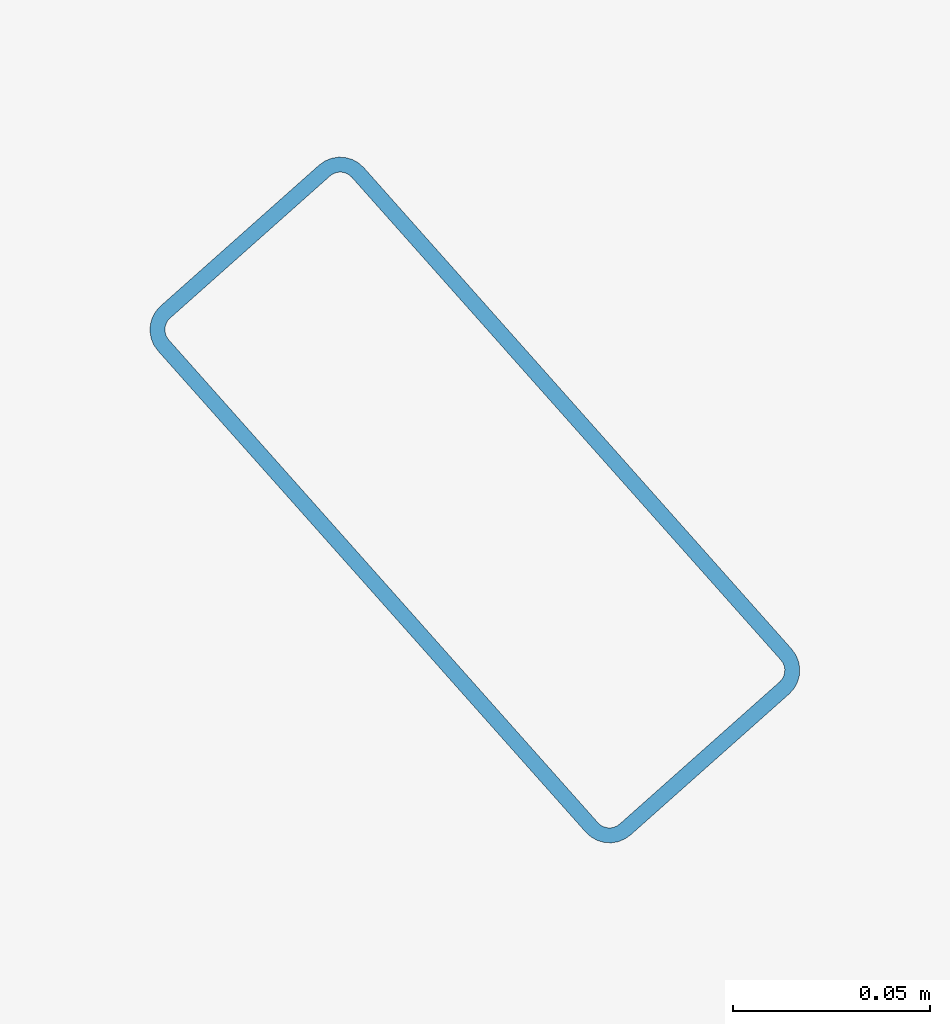
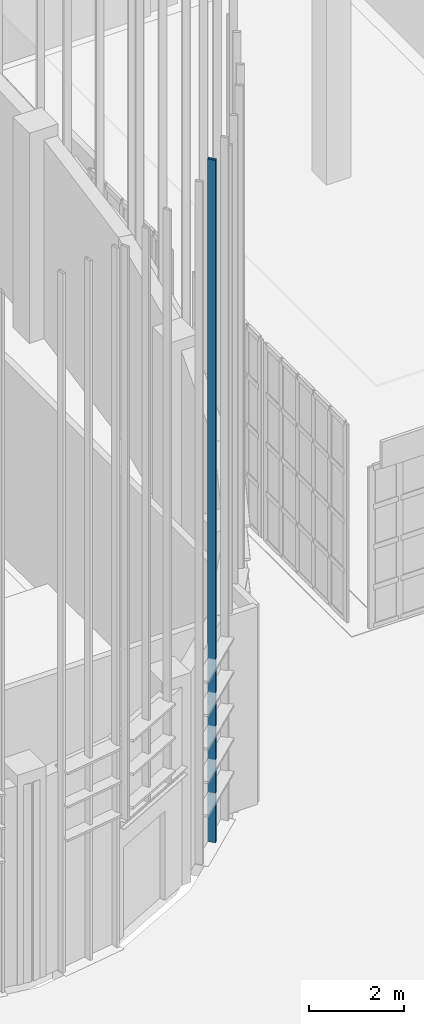
# One storey, part 259 of 372: 1 member.
"""IFC4 building model written with IfcOpenShell, lengths in metres."""

from ifc_helpers import new_model, si_unit, direction, frame, origin, origin_2d, place, context, subcontext, project, spatial, hollow_rectangle, extrude, material, material_profile, profile_set, type_object, element, save


model = new_model("IFC4")

# Units and contexts
model_context = context("Model", 3, precision=1e-05, world=origin(), true_north=direction((0.0, 1.0)))
body_context = subcontext(model_context, "Body", "Model", "MODEL_VIEW")
ifc_project = project(units=[si_unit("LENGTHUNIT", "METRE"), si_unit("AREAUNIT", "SQUARE_METRE"), si_unit("VOLUMEUNIT", "CUBIC_METRE"), si_unit("PLANEANGLEUNIT", "RADIAN"), si_unit("MASSUNIT", "GRAM", prefix="KILO")], contexts=[model_context])

# Site, building, storey
site_placement = place(None, origin())
site = spatial("IfcSite", under=ifc_project, at=site_placement, CompositionType="ELEMENT")
building_placement = place(site_placement, origin())
building = spatial("IfcBuilding", under=site, at=building_placement, Name="Kaelora Sail Theatre", CompositionType="ELEMENT")
storey_placement = place(building_placement, origin())
storey = spatial("IfcBuildingStorey", under=building, at=storey_placement, Name="L00", CompositionType="ELEMENT", Elevation=0.0)

# Member
ifc_material = material(Name="Anodised aluminium 6063-T6", Category="aluminium")
ifc_material_profile = material_profile(ifc_material, hollow_rectangle(XDim=0.070068359375, YDim=0.179931640625, WallThickness=0.00390625, InnerFilletRadius=0.00390625, OuterFilletRadius=0.008056640625, at=origin_2d()), Name="ALU-MULL 70x180x4")
ifc_profile_set = profile_set([ifc_material_profile], Name="Anodised aluminium 6063-T6")
member_type = type_object("IfcMemberType", Name="ARC-MEM-PST-160", PredefinedType="POST", material=ifc_profile_set)
member_placement = place(storey_placement, frame((140.997802734375, 26.228515625, 0.0), z_axis=(0.0, 0.0, 1.0), x_axis=(-0.747450357056, -0.664317667789, 0.0)))
element("IfcMember", 1, at=member_placement, inside=storey, type_object=member_type, Name="Black-Box and Experimental Sail Wing solar louvre vertical support post C8-2", PredefinedType="POST", context=body_context, shape_type="SweptSolid", body=[
    extrude(hollow_rectangle(XDim=0.070068359375, YDim=0.179931640625, WallThickness=0.00390625, InnerFilletRadius=0.00390625, OuterFilletRadius=0.008056640625, at=origin_2d()), origin(), (0.0, 0.0, 1.0), 17.541015625),
])

save(model, "model.ifc")
